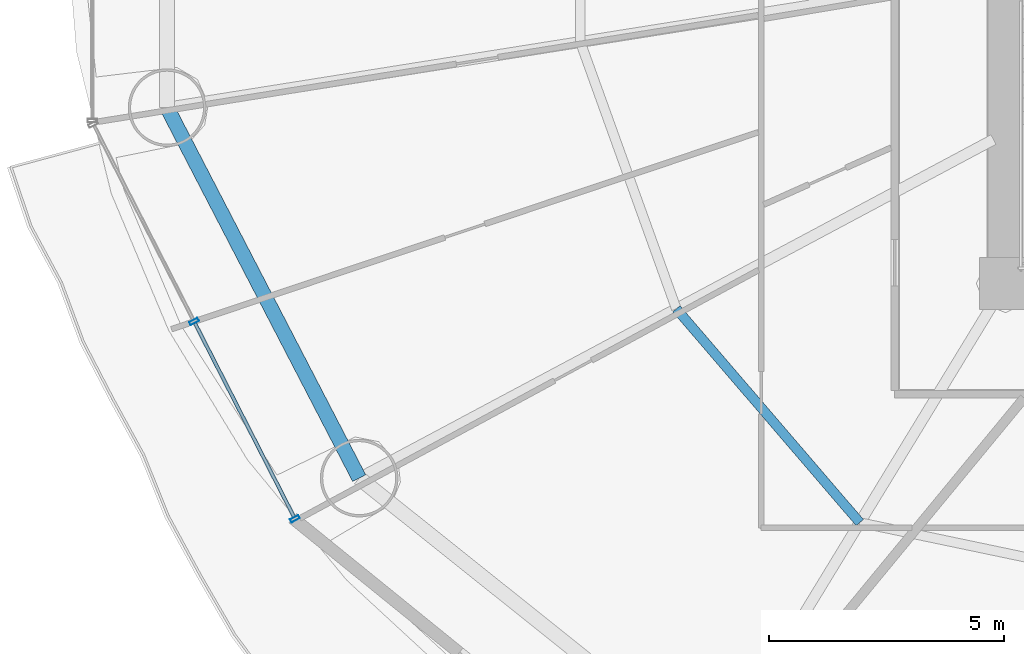
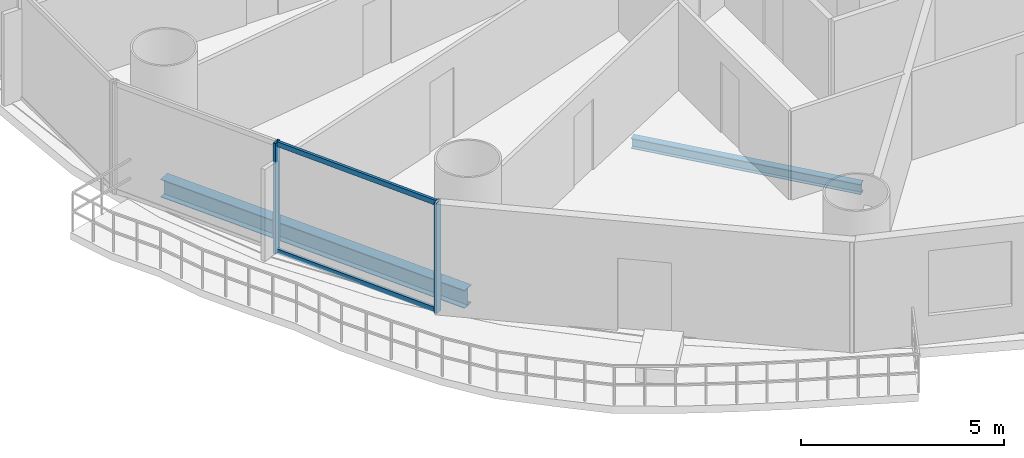
# One storey, part 2 of 29: 4 members, 2 beams, 1 element without a shape of its own.
"""IFC4 building model written with IfcOpenShell, lengths in metres."""

from ifc_helpers import new_model, si_unit, direction, frame, origin, origin_2d, place, context, subcontext, project, spatial, hollow_rectangle, i_section, extrude, source, transform, mapped, material, material_profile, profile_set, type_object, element, aggregate, save


model = new_model("IFC4")

# Units and contexts
model_context = context("Model", 3, precision=1e-05, world=origin(), true_north=direction((-0.2419218956, 0.970295726276)))
body_context = subcontext(model_context, "Body", "Model", "MODEL_VIEW")
ifc_project = project(units=[si_unit("LENGTHUNIT", "METRE"), si_unit("AREAUNIT", "SQUARE_METRE"), si_unit("VOLUMEUNIT", "CUBIC_METRE"), si_unit("PLANEANGLEUNIT", "RADIAN"), si_unit("MASSUNIT", "GRAM", prefix="KILO")], contexts=[model_context])

# Site, building, storey
site_placement = place(None, origin())
site = spatial("IfcSite", under=ifc_project, at=site_placement, CompositionType="ELEMENT")
building_placement = place(site_placement, origin())
building = spatial("IfcBuilding", under=site, at=building_placement, Name="Cobrevalo Terracotta Tower", CompositionType="ELEMENT")
storey_placement = place(building_placement, frame((0.0, 0.0, 52.800048828125)))
storey = spatial("IfcBuildingStorey", under=building, at=storey_placement, Name="L13", CompositionType="ELEMENT", Elevation=52.800048828125)

# Beams
ifc_material_1 = material(Name="Steel S355", Category="steel")
ifc_material_profile_1 = material_profile(ifc_material_1, i_section(OverallWidth=0.2041015625, OverallDepth=0.305908203125, WebThickness=0.008544921875, FlangeThickness=0.0146484375, at=origin_2d()), Name="W 310x67")
ifc_profile_set_1 = profile_set([ifc_material_profile_1], Name="Steel S355")
beam_type_1 = type_object("IfcBeamType", Name="Structural Joist W 310x67 (Steel S355)", PredefinedType="JOIST", material=ifc_profile_set_1)
beam_1_placement = place(storey_placement, frame((22.002197265625, 18.26025390625, -0.43310546875), z_axis=(0.651328404454, -0.758795960421, 0.0), x_axis=(0.758795960421, 0.651328404454, 0.0)))
element("IfcBeam", 1, at=beam_1_placement, inside=storey, type_object=beam_type_1, Name="L13 circumferential secondary floor joist 10", PredefinedType="JOIST", context=body_context, shape_type="SweptSolid", body=[
    extrude(i_section(OverallWidth=0.2041015625, OverallDepth=0.305908203125, WebThickness=0.008544921875, FlangeThickness=0.0146484375, at=origin_2d()), origin(), (0.0, 0.0, 1.0), 5.98828125),
])
ifc_material_profile_2 = material_profile(ifc_material_1, i_section(OverallWidth=0.31201171875, OverallDepth=0.54296875, WebThickness=0.0126953125, FlangeThickness=0.020263671875, at=origin_2d()), Name="W 530x150")
ifc_profile_set_2 = profile_set([ifc_material_profile_2], Name="Steel S355")
beam_type_2 = type_object("IfcBeamType", Name="Structural Spandrel W 530x150 (Steel S355)", PredefinedType="SPANDREL", material=ifc_profile_set_2)
beam_2_placement = place(storey_placement, frame((11.175537109375, 22.537353515625, -0.551513671875), z_axis=(0.460285838799, -0.88777077368, 0.0), x_axis=(0.88777077368, 0.460285838799, 0.0)))
element("IfcBeam", 2, at=beam_2_placement, inside=storey, type_object=beam_type_2, Name="L13 perimeter ring spandrel 09", PredefinedType="SPANDREL", context=body_context, shape_type="SweptSolid", body=[
    extrude(i_section(OverallWidth=0.31201171875, OverallDepth=0.54296875, WebThickness=0.0126953125, FlangeThickness=0.020263671875, at=origin_2d()), origin(), (0.0, 0.0, 1.0), 8.8720703125),
])

# Curtain wall, members
ifc_material_2 = material(Name="Anodized aluminium", Category="aluminium")
curtain_wall_type = type_object("IfcCurtainWallType", Name="Lower-tower unitised acoustic low-E curtain wall CW-U1", PredefinedType="NOTDEFINED", material=ifc_material_2)
curtain_wall_placement = place(storey_placement, origin())
curtain_wall = element("IfcCurtainWall", 3, at=curtain_wall_placement, inside=storey, type_object=curtain_wall_type, Name="L13 curtain wall CW-L13-S09", PredefinedType="NOTDEFINED")
ifc_material_profile_3 = material_profile(ifc_material_2, hollow_rectangle(XDim=0.074951171875, YDim=0.199951171875, WallThickness=0.0048828125, at=origin_2d()), Name="CWM 75x200")
ifc_profile_set_3 = profile_set([ifc_material_profile_3], Name="Anodized aluminium")
member_type_1 = type_object("IfcMemberType", Name="Lower/mid tower unitised mullion 75x200", PredefinedType="MULLION", material=ifc_profile_set_3)
shared_shape_1 = source(origin(), body_context, "Body", "SweptSolid", [
    extrude(hollow_rectangle(XDim=0.074951171875, YDim=0.199951171875, WallThickness=0.0048828125, at=origin_2d()), origin(), (0.0, 0.0, 1.0), 3.320068359375),
])
member_1_placement = place(storey_placement, frame((11.74951171875, 17.990966796875, 0.0), z_axis=(0.0, 0.0, 1.0), x_axis=(0.455234136597, -0.890371765543, 0.0)))
member_1 = element("IfcMember", 4, at=member_1_placement, type_object=member_type_1, Name="CW-L13-S09 vertical mullion 02", PredefinedType="MULLION", context=body_context, shape_type="MappedRepresentation", body=[
    mapped(shared_shape_1, transform((0.0, 0.0, 0.0), scale=1.0)),
])
member_2_placement = place(storey_placement, frame((13.89404296875, 13.79638671875, 0.0), z_axis=(0.0, 0.0, 1.0), x_axis=(0.455234136597, -0.890371765543, 0.0)))
member_2 = element("IfcMember", 5, at=member_2_placement, type_object=member_type_1, Name="CW-L13-S09 vertical mullion 03", PredefinedType="MULLION", context=body_context, shape_type="MappedRepresentation", body=[
    mapped(shared_shape_1, transform((0.0, 0.0, 0.0), scale=1.0)),
])
ifc_material_profile_4 = material_profile(ifc_material_2, hollow_rectangle(XDim=0.074951171875, YDim=0.14990234375, WallThickness=0.00439453125, at=origin_2d()), Name="CWT 75x150")
ifc_profile_set_4 = profile_set([ifc_material_profile_4], Name="Anodized aluminium")
member_type_2 = type_object("IfcMemberType", Name="Tower unitised aluminium transom 75x150", PredefinedType="USERDEFINED", material=ifc_profile_set_4)
shared_shape_2 = source(origin(), body_context, "Body", "SweptSolid", [
    extrude(hollow_rectangle(XDim=0.074951171875, YDim=0.14990234375, WallThickness=0.00439453125, at=origin_2d()), origin(), (0.0, 0.0, 1.0), 4.631103515625),
])
member_3_placement = place(storey_placement, frame((11.767578125, 17.955322265625, 0.050048828125), z_axis=(0.455271744945, -0.89035253594, 0.0), x_axis=(0.89035253594, 0.455271744945, 0.0)))
member_3 = element("IfcMember", 6, at=member_3_placement, type_object=member_type_2, Name="CW-L13-S09 transom B02-T1", ObjectType="TRANSOM", PredefinedType="USERDEFINED", context=body_context, shape_type="MappedRepresentation", body=[
    mapped(shared_shape_2, transform((0.0, 0.0, 0.0), scale=1.0)),
])
member_4_placement = place(storey_placement, frame((11.767578125, 17.955322265625, 3.27001953125), z_axis=(0.455271744945, -0.89035253594, 0.0), x_axis=(0.89035253594, 0.455271744945, 0.0)))
member_4 = element("IfcMember", 7, at=member_4_placement, type_object=member_type_2, Name="CW-L13-S09 transom B02-T2", ObjectType="TRANSOM", PredefinedType="USERDEFINED", context=body_context, shape_type="MappedRepresentation", body=[
    mapped(shared_shape_2, transform((0.0, 0.0, 0.0), scale=1.0)),
])
aggregate(curtain_wall, [member_1, member_2, member_3, member_4])

save(model, "model.ifc")
